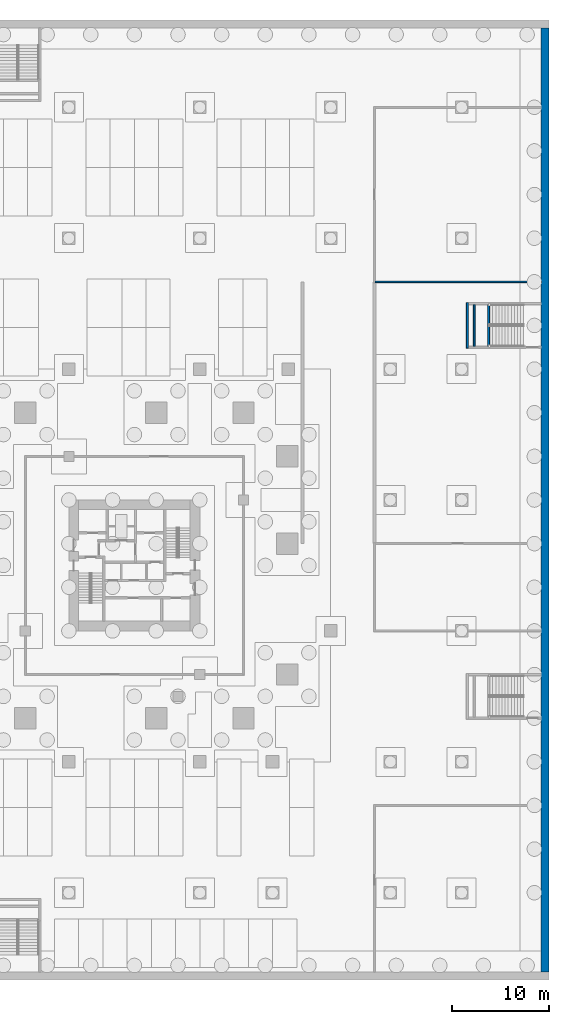
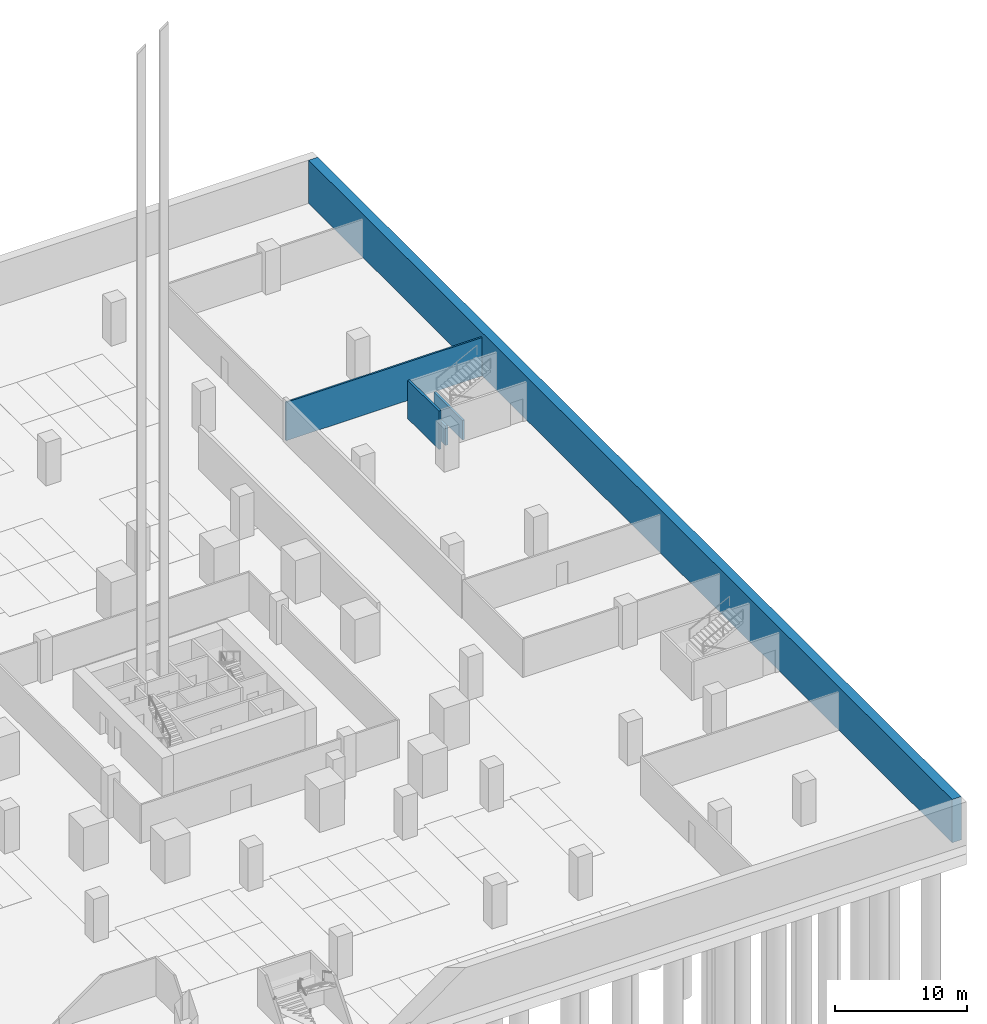
# One storey, part 15 of 40: 5 walls.
"""IFC4 building model written with IfcOpenShell, lengths in metres."""

from ifc_helpers import new_model, si_unit, direction, frame, frame_2d, origin, place, context, subcontext, project, spatial, rectangle, extrude, material, layer, layer_set, type_object, element, save


model = new_model("IFC4")

# Units and contexts
model_context = context("Model", 3, precision=1e-05, world=origin(), true_north=direction((0.0, 1.0)))
body_context = subcontext(model_context, "Body", "Model", "MODEL_VIEW")
ifc_project = project(units=[si_unit("LENGTHUNIT", "METRE"), si_unit("AREAUNIT", "SQUARE_METRE"), si_unit("VOLUMEUNIT", "CUBIC_METRE"), si_unit("PLANEANGLEUNIT", "RADIAN"), si_unit("MASSUNIT", "GRAM", prefix="KILO")], contexts=[model_context])

# Site, building, storey
site_placement = place(None, origin())
site = spatial("IfcSite", under=ifc_project, at=site_placement, CompositionType="ELEMENT")
building_placement = place(site_placement, origin())
building = spatial("IfcBuilding", under=site, at=building_placement, Name="Altepetl Exchange Towers", CompositionType="ELEMENT")
storey_placement = place(building_placement, frame((0.0, 0.0, -8.0)))
storey = spatial("IfcBuildingStorey", under=building, at=storey_placement, Name="B2 Basement parking", CompositionType="ELEMENT", Elevation=-8.0)

# Walls
ifc_material_1 = material(Name="Reinforced concrete C35/45", Category="concrete")
ifc_layer_1 = layer(ifc_material_1, 0.199951171875)
ifc_layer_set_1 = layer_set([ifc_layer_1], Name="Reinforced concrete C35/45")
wall_type_1 = type_object("IfcWallType", Name="Landing support wall 200", PredefinedType="SOLIDWALL", material=ifc_layer_set_1)
for number, where, z_axis, x_axis, name in (
    (1, (146.780029296875, 65.35009765625, 0.0), (0.0, 0.0, 1.0), (0.0, 1.0, 0.0), "wall:P:B2:ES8sup0"),
    (2, (145.300048828125, 65.35009765625, 0.0), (0.0, 0.0, 1.0), (0.0, 1.0, 0.0), "wall:P:B2:ES8sup1"),
):
    element("IfcWall", number, at=place(storey_placement, frame(where, z_axis=z_axis, x_axis=x_axis)), inside=storey, type_object=wall_type_1, Name=name, PredefinedType="SOLIDWALL", context=body_context, shape_type="SweptSolid", body=[
        extrude(rectangle(XDim=4.2998046875, YDim=0.199951171875, at=frame_2d((2.14990234375, 0.0))), origin(), (0.0, 0.0, 1.0), 1.800048828125),
    ])
ifc_material_2 = material(Name="Gypsum board on steel studs", Category="steel")
ifc_layer_2 = layer(ifc_material_2, 0.14990234375)
ifc_layer_set_2 = layer_set([ifc_layer_2], Name="Gypsum board on steel studs")
wall_type_2 = type_object("IfcWallType", Name="Podium partition 150", PredefinedType="PARTITIONING", material=ifc_layer_set_2)
wall_1_placement = place(storey_placement, frame((135.074951171875, 72.0, 0.0)))
element("IfcWall", 3, at=wall_1_placement, inside=storey, type_object=wall_type_2, Name="wall:P:B2:P028", PredefinedType="PARTITIONING", context=body_context, shape_type="SweptSolid", body=[
    extrude(rectangle(XDim=17.125, YDim=0.14990234375, at=frame_2d((8.5625, 0.0))), origin(), (0.0, 0.0, 1.0), 3.550048828125),
])
ifc_material_3 = material(Name="Concrete C60/75", Category="concrete")
ifc_layer_3 = layer(ifc_material_3, 0.800048828125)
ifc_layer_set_3 = layer_set([ifc_layer_3], Name="Concrete C60/75")
wall_type_3 = type_object("IfcWallType", Name="Retaining wall 800", PredefinedType="SOLIDWALL", material=ifc_layer_set_3)
wall_2_placement = place(storey_placement, frame((152.60009765625, 0.800048828125, 0.0), z_axis=(0.0, 0.0, 1.0), x_axis=(0.0, 1.0, 0.0)))
element("IfcWall", 4, at=wall_2_placement, inside=storey, type_object=wall_type_3, Name="wall:P:B2:retE", PredefinedType="SOLIDWALL", context=body_context, shape_type="SweptSolid", body=[
    extrude(rectangle(XDim=97.39990234375, YDim=0.800048828125, at=frame_2d((48.699951171875, 0.0))), origin(), (0.0, 0.0, 1.0), 4.0),
])
ifc_layer_4 = layer(ifc_material_1, 0.199951171875)
ifc_layer_set_4 = layer_set([ifc_layer_4], Name="Reinforced concrete C35/45")
wall_type_4 = type_object("IfcWallType", Name="Stair enclosure wall 200", PredefinedType="SOLIDWALL", material=ifc_layer_set_4)
wall_3_placement = place(storey_placement, frame((144.60009765625, 65.14990234375, 0.0), z_axis=(0.0, 0.0, 1.0), x_axis=(0.0, 1.0, 0.0)))
element("IfcWall", 5, at=wall_3_placement, inside=storey, type_object=wall_type_4, Name="wall:P:B2:P077", PredefinedType="SOLIDWALL", context=body_context, shape_type="SweptSolid", body=[
    extrude(rectangle(XDim=4.7001953125, YDim=0.199951171875, at=frame_2d((2.35009765625, 0.0))), origin(), (0.0, 0.0, 1.0), 3.550048828125),
])

save(model, "model.ifc")
